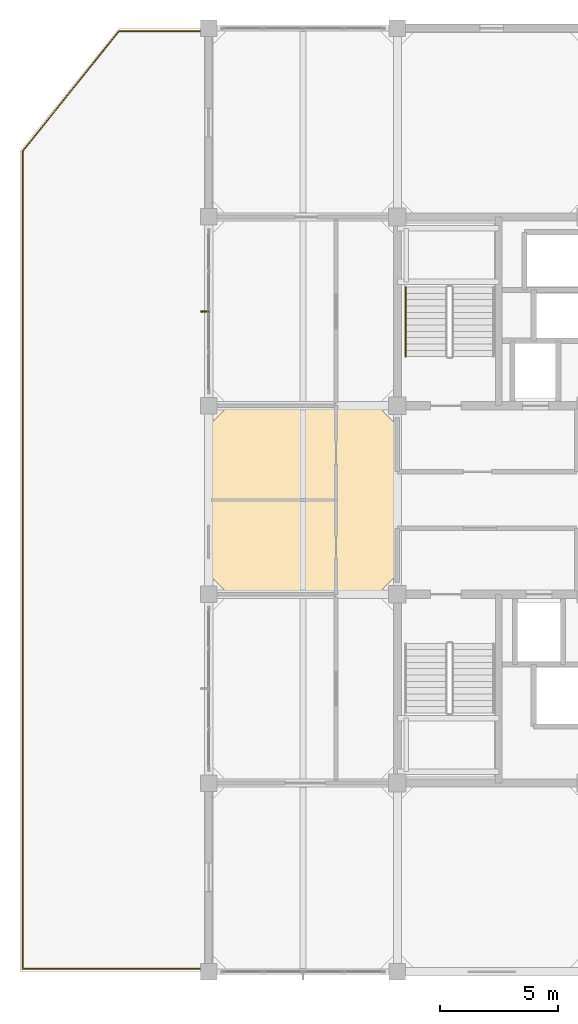
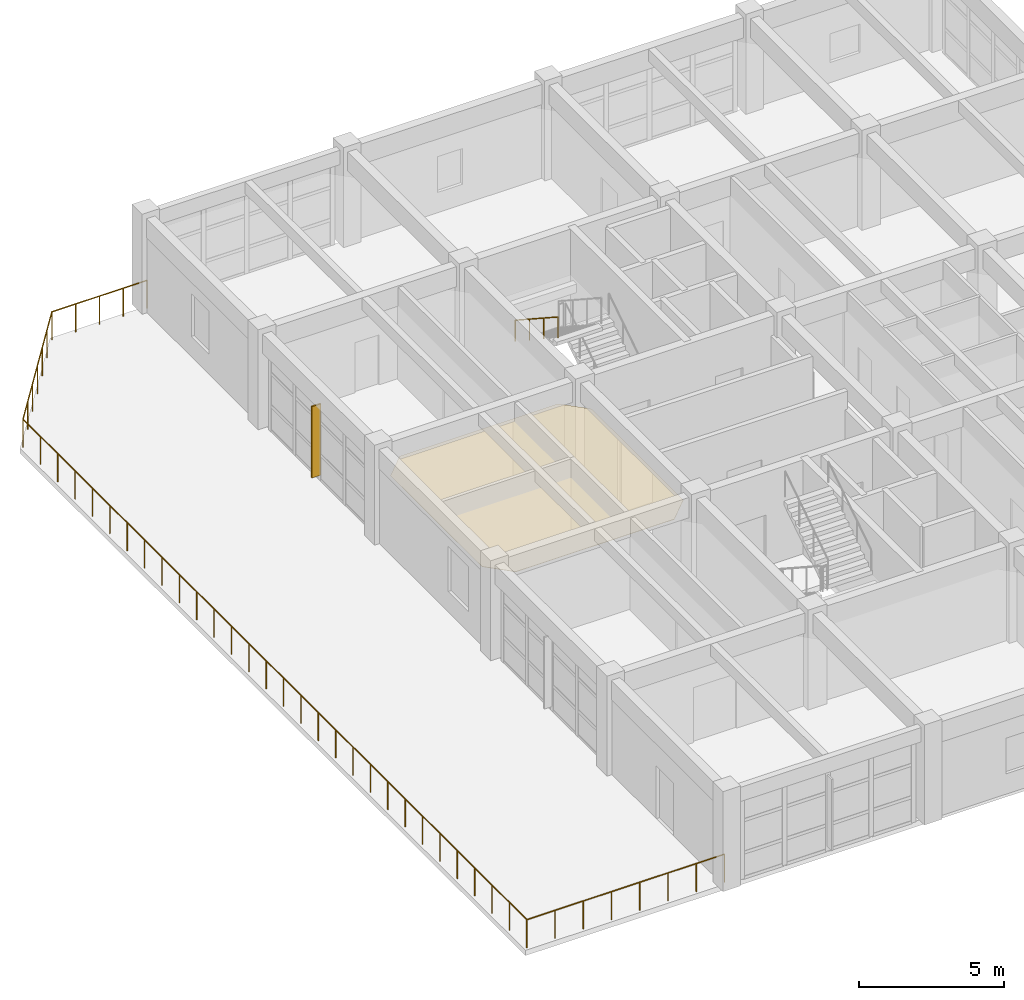
# One storey, part 23 of 25: 2 railings, 1 covering, 1 shading device.
"""IFC4 building model written with IfcOpenShell, lengths in metres."""

from ifc_helpers import new_model, si_unit, direction, frame, origin, origin_2d, place, context, subcontext, project, spatial, polyline, rectangle, circle, outline, extrude, material, layer, layer_set, type_object, element, save


model = new_model("IFC4")

# Units and contexts
model_context = context("Model", 3, precision=1e-05, world=origin(), true_north=direction((0.0, 1.0)))
body_context = subcontext(model_context, "Body", "Model", "MODEL_VIEW")
ifc_project = project(units=[si_unit("LENGTHUNIT", "METRE"), si_unit("AREAUNIT", "SQUARE_METRE"), si_unit("VOLUMEUNIT", "CUBIC_METRE"), si_unit("PLANEANGLEUNIT", "RADIAN"), si_unit("MASSUNIT", "GRAM", prefix="KILO")], contexts=[model_context])

# Site, building, storey
site_placement = place(None, origin())
site = spatial("IfcSite", under=ifc_project, at=site_placement, CompositionType="ELEMENT")
building_placement = place(site_placement, origin())
building = spatial("IfcBuilding", under=site, at=building_placement, Name="Canggui Botanical Conservatory", CompositionType="ELEMENT")
storey_placement = place(building_placement, frame((0.0, 0.0, 40.199951171875)))
storey = spatial("IfcBuildingStorey", under=building, at=storey_placement, Name="L10", CompositionType="ELEMENT", Elevation=40.199951171875)

# Covering
ifc_material_1 = material(Name="Mineral Fibre Acoustic Board")
ifc_layer = layer(ifc_material_1, 0.014892578125, Name="Mineral Fibre Acoustic Board")
ifc_layer_set = layer_set([ifc_layer], Name="Mineral Fibre Acoustic Board")
covering_type = type_object("IfcCoveringType", Name="COV-CEIL-15", PredefinedType="CEILING", material=ifc_layer_set)
covering_placement = place(storey_placement, frame((0.0, 0.0, 3.094970703125)))
element("IfcCovering", 1, at=covering_placement, inside=storey, type_object=covering_type, Name="Suspended Acoustic Ceiling L10-146-50", PredefinedType="CEILING", context=body_context, shape_type="SweptSolid", body=[
    extrude(outline(polyline([(146.85009765625, 50.0), (153.14990234375, 50.0), (154.0, 50.85009765625), (154.0, 57.14990234375), (153.14990234375, 58.0), (146.85009765625, 58.0), (146.0, 57.14990234375), (146.0, 50.85009765625), (146.85009765625, 50.0)])), origin(), (0.0, 0.0, 1.0), 0.01513671875),
])

# Railings
ifc_material_2 = material(Name="Stainless Steel 304", Category="steel")
railing_type_1 = type_object("IfcRailingType", Name="RAIL-HAND-900", PredefinedType="HANDRAIL", material=ifc_material_2)
railing_1_placement = place(storey_placement, frame((154.35009765625, 63.028076171875, 2.275146484375)))
element("IfcRailing", 2, at=railing_1_placement, inside=storey, type_object=railing_type_1, Name="L10 ST-T2 stair handrail 2", PredefinedType="HANDRAIL", context=body_context, shape_type="SweptSolid", body=[
    extrude(circle(Radius=0.02392578125, at=origin_2d()), frame((0.0, 0.0, 0.8759765625), z_axis=(0.0, -0.837324922549, 0.546705564338), x_axis=(1.0, 0.0, 0.0)), (0.0, 0.0, 1.0), 3.520751953125),
    extrude(circle(Radius=0.02099609375, at=origin_2d()), origin(), (0.0, 0.0, 1.0), 0.851806640625),
    extrude(circle(Radius=0.02099609375, at=origin_2d()), frame((0.0, -0.982666015625, 0.6416015625)), (0.0, 0.0, 1.0), 0.851806640625),
    extrude(circle(Radius=0.02099609375, at=origin_2d()), frame((0.0, -1.96533203125, 1.283203125)), (0.0, 0.0, 1.0), 0.851806640625),
    extrude(circle(Radius=0.02099609375, at=origin_2d()), frame((0.0, -2.947998046875, 1.9248046875)), (0.0, 0.0, 1.0), 0.851806640625),
])
ifc_material_3 = material(Name="Laminated Safety Glass", Category="glass")
railing_type_2 = type_object("IfcRailingType", Name="RAIL-TERR-1200", PredefinedType="BALUSTRADE", material=ifc_material_3)
railing_2_placement = place(storey_placement, frame((145.97998046875, 34.1201171875, 0.0)))
element("IfcRailing", 3, at=railing_2_placement, inside=storey, type_object=railing_type_2, Name="Sky Terrace Laminated Glass Balustrade L10", PredefinedType="BALUSTRADE", context=body_context, shape_type="SweptSolid", body=[
    extrude(circle(Radius=0.02392578125, at=origin_2d()), frame((0.0, 0.0, 1.17578125), z_axis=(-1.0, 0.0, 0.0), x_axis=(0.0, -1.0, 0.0)), (0.0, 0.0, 1.0), 7.85986328125),
    extrude(circle(Radius=0.02392578125, at=origin_2d()), frame((-7.85986328125, 0.0, 1.17578125), z_axis=(0.0, 1.0, 0.0), x_axis=(-1.0, 0.0, 0.0)), (0.0, 0.0, 1.0), 34.679931640625),
    extrude(circle(Radius=0.02392578125, at=origin_2d()), frame((-7.85986328125, 34.679931640625, 1.17578125), z_axis=(0.626188198729, 0.779671943687, 0.0), x_axis=(-0.779671943687, 0.626188198729, 0.0)), (0.0, 0.0, 1.0), 6.515380859375),
    extrude(circle(Radius=0.02392578125, at=origin_2d()), frame((-3.780029296875, 39.759765625, 1.17578125), z_axis=(1.0, 0.0, 0.0), x_axis=(0.0, 1.0, 0.0)), (0.0, 0.0, 1.0), 3.780029296875),
    extrude(circle(Radius=0.02099609375, at=origin_2d()), origin(), (0.0, 0.0, 1.0), 1.15185546875),
    extrude(circle(Radius=0.02099609375, at=origin_2d()), frame((-1.122802734375, 0.0, 0.0)), (0.0, 0.0, 1.0), 1.15185546875),
    extrude(circle(Radius=0.02099609375, at=origin_2d()), frame((-2.24560546875, 0.0, 0.0)), (0.0, 0.0, 1.0), 1.15185546875),
    extrude(circle(Radius=0.02099609375, at=origin_2d()), frame((-3.368408203125, 0.0, 0.0)), (0.0, 0.0, 1.0), 1.15185546875),
    extrude(circle(Radius=0.02099609375, at=origin_2d()), frame((-4.491455078125, 0.0, 0.0)), (0.0, 0.0, 1.0), 1.15185546875),
    extrude(circle(Radius=0.02099609375, at=origin_2d()), frame((-5.6142578125, 0.0, 0.0)), (0.0, 0.0, 1.0), 1.15185546875),
    extrude(circle(Radius=0.02099609375, at=origin_2d()), frame((-6.737060546875, 0.0, 0.0)), (0.0, 0.0, 1.0), 1.15185546875),
    extrude(circle(Radius=0.02099609375, at=origin_2d()), frame((-7.85986328125, 0.0, 0.0)), (0.0, 0.0, 1.0), 1.15185546875),
    extrude(circle(Radius=0.02099609375, at=origin_2d()), frame((-7.85986328125, 1.19580078125, 0.0)), (0.0, 0.0, 1.0), 1.15185546875),
    extrude(circle(Radius=0.02099609375, at=origin_2d()), frame((-7.85986328125, 2.3916015625, 0.0)), (0.0, 0.0, 1.0), 1.15185546875),
    extrude(circle(Radius=0.02099609375, at=origin_2d()), frame((-7.85986328125, 3.587646484375, 0.0)), (0.0, 0.0, 1.0), 1.15185546875),
    extrude(circle(Radius=0.02099609375, at=origin_2d()), frame((-7.85986328125, 4.783447265625, 0.0)), (0.0, 0.0, 1.0), 1.15185546875),
    extrude(circle(Radius=0.02099609375, at=origin_2d()), frame((-7.85986328125, 5.979248046875, 0.0)), (0.0, 0.0, 1.0), 1.15185546875),
    extrude(circle(Radius=0.02099609375, at=origin_2d()), frame((-7.85986328125, 7.175048828125, 0.0)), (0.0, 0.0, 1.0), 1.15185546875),
    extrude(circle(Radius=0.02099609375, at=origin_2d()), frame((-7.85986328125, 8.37109375, 0.0)), (0.0, 0.0, 1.0), 1.15185546875),
    extrude(circle(Radius=0.02099609375, at=origin_2d()), frame((-7.85986328125, 9.56689453125, 0.0)), (0.0, 0.0, 1.0), 1.15185546875),
    extrude(circle(Radius=0.02099609375, at=origin_2d()), frame((-7.85986328125, 10.7626953125, 0.0)), (0.0, 0.0, 1.0), 1.15185546875),
    extrude(circle(Radius=0.02099609375, at=origin_2d()), frame((-7.85986328125, 11.95849609375, 0.0)), (0.0, 0.0, 1.0), 1.15185546875),
    extrude(circle(Radius=0.02099609375, at=origin_2d()), frame((-7.85986328125, 13.154541015625, 0.0)), (0.0, 0.0, 1.0), 1.15185546875),
    extrude(circle(Radius=0.02099609375, at=origin_2d()), frame((-7.85986328125, 14.350341796875, 0.0)), (0.0, 0.0, 1.0), 1.15185546875),
    extrude(circle(Radius=0.02099609375, at=origin_2d()), frame((-7.85986328125, 15.546142578125, 0.0)), (0.0, 0.0, 1.0), 1.15185546875),
    extrude(circle(Radius=0.02099609375, at=origin_2d()), frame((-7.85986328125, 16.741943359375, 0.0)), (0.0, 0.0, 1.0), 1.15185546875),
    extrude(circle(Radius=0.02099609375, at=origin_2d()), frame((-7.85986328125, 17.93798828125, 0.0)), (0.0, 0.0, 1.0), 1.15185546875),
    extrude(circle(Radius=0.02099609375, at=origin_2d()), frame((-7.85986328125, 19.1337890625, 0.0)), (0.0, 0.0, 1.0), 1.15185546875),
    extrude(circle(Radius=0.02099609375, at=origin_2d()), frame((-7.85986328125, 20.32958984375, 0.0)), (0.0, 0.0, 1.0), 1.15185546875),
    extrude(circle(Radius=0.02099609375, at=origin_2d()), frame((-7.85986328125, 21.525390625, 0.0)), (0.0, 0.0, 1.0), 1.15185546875),
    extrude(circle(Radius=0.02099609375, at=origin_2d()), frame((-7.85986328125, 22.721435546875, 0.0)), (0.0, 0.0, 1.0), 1.15185546875),
    extrude(circle(Radius=0.02099609375, at=origin_2d()), frame((-7.85986328125, 23.917236328125, 0.0)), (0.0, 0.0, 1.0), 1.15185546875),
    extrude(circle(Radius=0.02099609375, at=origin_2d()), frame((-7.85986328125, 25.113037109375, 0.0)), (0.0, 0.0, 1.0), 1.15185546875),
    extrude(circle(Radius=0.02099609375, at=origin_2d()), frame((-7.85986328125, 26.308837890625, 0.0)), (0.0, 0.0, 1.0), 1.15185546875),
    extrude(circle(Radius=0.02099609375, at=origin_2d()), frame((-7.85986328125, 27.5048828125, 0.0)), (0.0, 0.0, 1.0), 1.15185546875),
    extrude(circle(Radius=0.02099609375, at=origin_2d()), frame((-7.85986328125, 28.70068359375, 0.0)), (0.0, 0.0, 1.0), 1.15185546875),
    extrude(circle(Radius=0.02099609375, at=origin_2d()), frame((-7.85986328125, 29.896484375, 0.0)), (0.0, 0.0, 1.0), 1.15185546875),
    extrude(circle(Radius=0.02099609375, at=origin_2d()), frame((-7.85986328125, 31.09228515625, 0.0)), (0.0, 0.0, 1.0), 1.15185546875),
    extrude(circle(Radius=0.02099609375, at=origin_2d()), frame((-7.85986328125, 32.288330078125, 0.0)), (0.0, 0.0, 1.0), 1.15185546875),
    extrude(circle(Radius=0.02099609375, at=origin_2d()), frame((-7.85986328125, 33.484130859375, 0.0)), (0.0, 0.0, 1.0), 1.15185546875),
    extrude(circle(Radius=0.02099609375, at=origin_2d()), frame((-7.85986328125, 34.679931640625, 0.0)), (0.0, 0.0, 1.0), 1.15185546875),
    extrude(circle(Radius=0.02099609375, at=origin_2d()), frame((-7.179931640625, 35.526611328125, 0.0)), (0.0, 0.0, 1.0), 1.15185546875),
    extrude(circle(Radius=0.02099609375, at=origin_2d()), frame((-6.5, 36.373291015625, 0.0)), (0.0, 0.0, 1.0), 1.15185546875),
    extrude(circle(Radius=0.02099609375, at=origin_2d()), frame((-5.81982421875, 37.2197265625, 0.0)), (0.0, 0.0, 1.0), 1.15185546875),
    extrude(circle(Radius=0.02099609375, at=origin_2d()), frame((-5.139892578125, 38.06640625, 0.0)), (0.0, 0.0, 1.0), 1.15185546875),
    extrude(circle(Radius=0.02099609375, at=origin_2d()), frame((-4.4599609375, 38.9130859375, 0.0)), (0.0, 0.0, 1.0), 1.15185546875),
    extrude(circle(Radius=0.02099609375, at=origin_2d()), frame((-3.780029296875, 39.759765625, 0.0)), (0.0, 0.0, 1.0), 1.15185546875),
    extrude(circle(Radius=0.02099609375, at=origin_2d()), frame((-2.8349609375, 39.759765625, 0.0)), (0.0, 0.0, 1.0), 1.15185546875),
    extrude(circle(Radius=0.02099609375, at=origin_2d()), frame((-1.89013671875, 39.759765625, 0.0)), (0.0, 0.0, 1.0), 1.15185546875),
    extrude(circle(Radius=0.02099609375, at=origin_2d()), frame((-0.945068359375, 39.759765625, 0.0)), (0.0, 0.0, 1.0), 1.15185546875),
    extrude(circle(Radius=0.02099609375, at=origin_2d()), frame((0.0, 39.759765625, 0.0)), (0.0, 0.0, 1.0), 1.15185546875),
])

# Shading device
ifc_material_4 = material(Name="Anodised Aluminium", Category="aluminium")
shading_device_type = type_object("IfcShadingDeviceType", Name="SHD-FIN02", PredefinedType="AWNING", material=ifc_material_4)
shading_device_placement = place(storey_placement, frame((145.8349609375, 62.0, 0.199951171875), z_axis=(0.0, 0.0, 1.0), x_axis=(0.0, 1.0, 0.0)))
element("IfcShadingDevice", 4, at=shading_device_placement, inside=storey, type_object=shading_device_type, Name="Solar Shading Fin CW-TWR-L10-08", PredefinedType="AWNING", context=body_context, shape_type="SweptSolid", body=[
    extrude(rectangle(XDim=0.06005859375, YDim=0.360107421875, at=origin_2d()), origin(), (0.0, 0.0, 1.0), 3.0),
])

save(model, "model.ifc")
